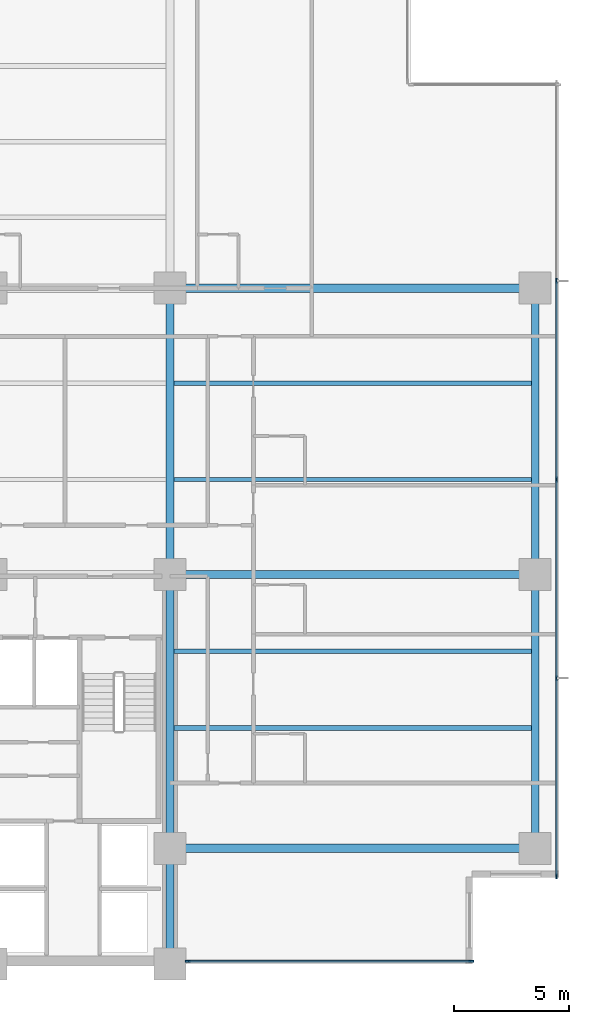
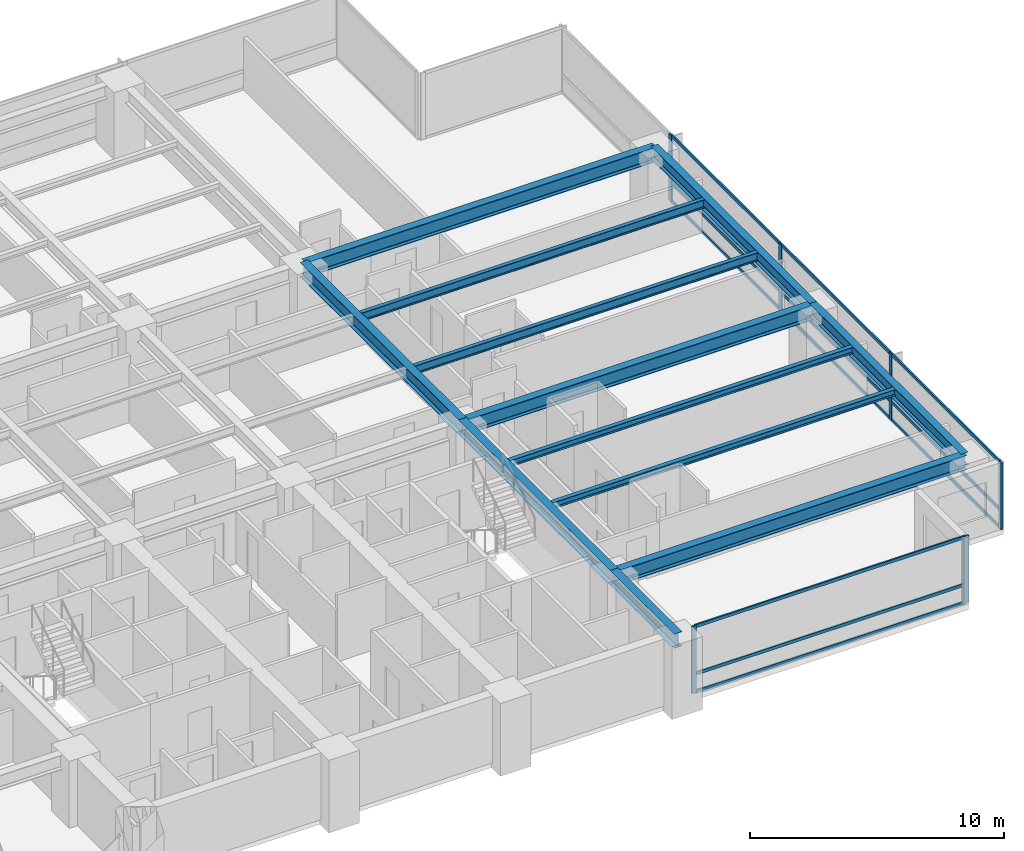
# One storey, part 3 of 16: 18 members, 12 beams, 2 elements without a shape of their own.
"""IFC4 building model written with IfcOpenShell, lengths in metres."""

import ifcopenshell
import ifcopenshell.guid

model = None  # the IFC model being written
_history = None  # IfcOwnerHistory: only IFC2X3 demands one
_inside = {}  # id of a spatial element -> (the spatial element, [elements in it])
_under = {}  # id of a project, library or spatial element -> (it, [spatial elements below it])
_declared = {}  # id of a project -> (the project, [libraries it declares])
_typed = {}  # id of a type object -> (the type object, [elements of that type])
_made_of = {}  # id of a material, layer set ... -> (it, [elements and type objects made of it])


def new_model(schema):
    """Start an empty IFC model of exactly this schema.

    Asked for "IFC4X3", IfcOpenShell would pick the latest addendum, in which some entities
    have other attributes; the version numbers below select the first issue.
    IFC2X3 requires an IfcOwnerHistory on every rooted entity: one is made here for all.
    """
    global model, _history
    if schema == "IFC4X3":
        model = ifcopenshell.file(schema_version=(4, 3, 0, 0))
    else:
        model = ifcopenshell.file(schema=schema)
    _inside.clear()
    _under.clear()
    _declared.clear()
    _typed.clear()
    _made_of.clear()
    _history = None
    if model.schema == "IFC2X3":
        org = make("IfcOrganization", Name="unknown")
        user = make(
            "IfcPersonAndOrganization",
            ThePerson=make("IfcPerson", FamilyName="unknown"),
            TheOrganization=org,
        )
        app = make(
            "IfcApplication",
            ApplicationDeveloper=org,
            Version="unknown",
            ApplicationFullName="unknown",
            ApplicationIdentifier="unknown",
        )
        _history = make(
            "IfcOwnerHistory",
            OwningUser=user,
            OwningApplication=app,
            ChangeAction="ADDED",
            CreationDate=0,
        )
    return model


def make(cls, **values):
    """One entity of the class cls with the attributes given. An attribute that is None is left unset."""
    return model.create_entity(
        cls, **{name: value for name, value in values.items() if value is not None}
    )


def rooted(cls, **values):
    """An entity with a GlobalId (a new one), such as an element, a storey or a relation."""
    return make(cls, GlobalId=ifcopenshell.guid.new(), OwnerHistory=_history, **values)


def si_unit(unit_type, name, prefix=None):
    """IfcSIUnit, for example si_unit("LENGTHUNIT", "METRE", prefix="MILLI")."""
    return make("IfcSIUnit", UnitType=unit_type, Prefix=prefix, Name=name)


def assignment(units):
    """IfcUnitAssignment: the units of a project."""
    return None if units is None else make("IfcUnitAssignment", Units=units)


def point(xyz):
    """IfcCartesianPoint."""
    return None if xyz is None else make("IfcCartesianPoint", Coordinates=xyz)


def direction(xyz):
    """IfcDirection."""
    return None if xyz is None else make("IfcDirection", DirectionRatios=xyz)


def frame(location, z_axis=None, x_axis=None):
    """IfcAxis2Placement3D, a coordinate frame: its origin and axes. An axis left out is left unset."""
    return make(
        "IfcAxis2Placement3D",
        Location=point(location),
        Axis=direction(z_axis),
        RefDirection=direction(x_axis),
    )


def frame_2d(location, x_axis=None):
    """IfcAxis2Placement2D, a coordinate frame in the plane: its origin and x axis."""
    return make(
        "IfcAxis2Placement2D", Location=point(location), RefDirection=direction(x_axis)
    )


def origin():
    """The frame at (0, 0, 0) with its axes left unset."""
    return frame((0.0, 0.0, 0.0))


def origin_2d():
    """The frame at (0, 0) in the plane with its x axis left unset."""
    return frame_2d((0.0, 0.0))


def place(relative_to, where):
    """IfcLocalPlacement: puts the frame where relative to a parent placement (None: the world)."""
    return make(
        "IfcLocalPlacement", PlacementRelTo=relative_to, RelativePlacement=where
    )


def context(
    kind, dimensions, precision=None, world=None, true_north=None, identifier=None
):
    """IfcGeometricRepresentationContext, for example the 3D "Model" context."""
    return make(
        "IfcGeometricRepresentationContext",
        ContextIdentifier=identifier,
        ContextType=kind,
        CoordinateSpaceDimension=dimensions,
        Precision=precision,
        WorldCoordinateSystem=world,
        TrueNorth=true_north,
    )


def subcontext(parent, identifier, kind, view, scale=None):
    """IfcGeometricRepresentationSubContext, for example "Body" below "Model"."""
    return make(
        "IfcGeometricRepresentationSubContext",
        ContextIdentifier=identifier,
        ContextType=kind,
        ParentContext=parent,
        TargetScale=scale,
        TargetView=view,
    )


def project(units=None, contexts=None):
    """IfcProject with its units and contexts."""
    return rooted(
        "IfcProject",
        Name="project",
        RepresentationContexts=contexts,
        UnitsInContext=assignment(units),
    )


def spatial(cls, under=None, at=None, **own):
    """A site, building, storey or space (cls), placed at a placement, below another one or the project."""
    s = rooted(cls, ObjectPlacement=at, **own)
    if under is not None:
        _under.setdefault(under.id(), (under, []))[1].append(s)
    return s


def profile(cls, at=None, kind="AREA", **sizes):
    """A parametric profile (cls). Its sizes go by their IFC names, for example OverallWidth=200.0."""
    return make(cls, ProfileType=kind, Position=at, **sizes)


def rectangle(**sizes):
    """IfcRectangleProfileDef."""
    return profile("IfcRectangleProfileDef", **sizes)


def i_section(**sizes):
    """IfcIShapeProfileDef."""
    return profile("IfcIShapeProfileDef", **sizes)


def extrude(swept, where, along, depth):
    """IfcExtrudedAreaSolid: the profile swept, set in the frame where, extruded along a direction by depth."""
    return make(
        "IfcExtrudedAreaSolid",
        SweptArea=swept,
        Position=where,
        ExtrudedDirection=direction(along),
        Depth=depth,
    )


def shape(context_of_items, identifier, shape_type, items):
    """IfcShapeRepresentation: the items that make up one representation, for example the "Body"."""
    return make(
        "IfcShapeRepresentation",
        ContextOfItems=context_of_items,
        RepresentationIdentifier=identifier,
        RepresentationType=shape_type,
        Items=items,
    )


def material(Name=None, Category=None):
    """IfcMaterial."""
    return make("IfcMaterial", Name=Name, Category=Category)


def layer(
    of_material, thickness, ventilated=None, Name=None, Category=None, Priority=None
):
    """IfcMaterialLayer: one layer of a wall or slab, of a material (None: an air gap)."""
    return make(
        "IfcMaterialLayer",
        Material=of_material,
        LayerThickness=thickness,
        IsVentilated=ventilated,
        Name=Name,
        Category=Category,
        Priority=Priority,
    )


def layer_set(layers, Name=None):
    """IfcMaterialLayerSet."""
    return make("IfcMaterialLayerSet", MaterialLayers=layers, LayerSetName=Name)


def material_profile(
    of_material, cross_section, Name=None, Category=None, Priority=None
):
    """IfcMaterialProfile: a cross section and its material."""
    return make(
        "IfcMaterialProfile",
        Name=Name,
        Material=of_material,
        Profile=cross_section,
        Priority=Priority,
        Category=Category,
    )


def profile_set(profiles, Name=None, composite=None):
    """IfcMaterialProfileSet."""
    return make(
        "IfcMaterialProfileSet",
        Name=Name,
        MaterialProfiles=profiles,
        CompositeProfile=composite,
    )


def made_of(thing, what):
    """Note that an element or type object is made of a material, layer set ...; save() writes the relation."""
    if what is not None:
        _made_of.setdefault(what.id(), (what, []))[1].append(thing)
    return thing


def type_object(cls, material=None, **own):
    """A type object (cls), such as IfcWallType, which elements share."""
    return made_of(rooted(cls, **own), material)


def element(
    cls,
    number,
    at=None,
    inside=None,
    cuts=None,
    type_object=None,
    material=None,
    context=None,
    identifier="Body",
    shape_type=None,
    held_by="IfcProductDefinitionShape",
    body=None,
    shapes=None,
    **own,
):
    """One element of the class cls, such as IfcWall. Its Tag is "e" and its number.

    at: its placement. inside: the storey or other place that contains it. cuts: it is an
    opening in that element (IfcRelVoidsElement). A single representation is given by context,
    identifier, shape_type and body (its items); several are given by shapes. held_by: the class
    of the entity that holds the representations. save() writes the other relations.
    """
    e = rooted(cls, Tag="e%d" % number, ObjectPlacement=at, **own)
    if body is not None:
        shapes = [shape(context, identifier, shape_type, body)]
    if shapes is not None:
        e.Representation = make(held_by, Representations=shapes)
    if inside is not None:
        _inside.setdefault(inside.id(), (inside, []))[1].append(e)
    if cuts is not None:
        rooted(
            "IfcRelVoidsElement", RelatingBuildingElement=cuts, RelatedOpeningElement=e
        )
    if type_object is not None:
        _typed.setdefault(type_object.id(), (type_object, []))[1].append(e)
    return made_of(e, material)


def aggregate(whole, parts):
    """IfcRelAggregates: a whole, such as a stair, and the parts it consists of."""
    return rooted("IfcRelAggregates", RelatingObject=whole, RelatedObjects=parts)


def save(model, path):
    """Write the relations noted so far, then the file.

    IfcRelAggregates (storeys below a building ...), IfcRelContainedInSpatialStructure (elements
    in a storey), IfcRelDefinesByType, IfcRelAssociatesMaterial and IfcRelDeclares: one each for
    every whole, place, type object, material and project.
    """
    for whole, parts in _under.values():
        aggregate(whole, parts)
    for where, things in _inside.values():
        rooted(
            "IfcRelContainedInSpatialStructure",
            RelatedElements=things,
            RelatingStructure=where,
        )
    for kind, things in _typed.values():
        rooted("IfcRelDefinesByType", RelatedObjects=things, RelatingType=kind)
    for what, things in _made_of.values():
        rooted("IfcRelAssociatesMaterial", RelatedObjects=things, RelatingMaterial=what)
    for by, libraries in _declared.values():
        rooted("IfcRelDeclares", RelatingContext=by, RelatedDefinitions=libraries)
    model.write(path)


model = new_model("IFC4")

# Units and contexts
model_context = context("Model", 3, precision=1e-05, world=origin(), true_north=direction((0.0, 1.0)))
body_context = subcontext(model_context, "Body", "Model", "MODEL_VIEW")
ifc_project = project(units=[si_unit("LENGTHUNIT", "METRE"), si_unit("AREAUNIT", "SQUARE_METRE"), si_unit("VOLUMEUNIT", "CUBIC_METRE"), si_unit("PLANEANGLEUNIT", "RADIAN"), si_unit("MASSUNIT", "GRAM", prefix="KILO")], contexts=[model_context])

# Site, building, storey
site_placement = place(None, origin())
site = spatial("IfcSite", under=ifc_project, at=site_placement, CompositionType="ELEMENT")
building_placement = place(site_placement, origin())
building = spatial("IfcBuilding", under=site, at=building_placement, Name="Qalmaran Belvedere Hotel", CompositionType="ELEMENT")
storey_placement = place(building_placement, frame((0.0, 0.0, 43.89990234375)))
storey = spatial("IfcBuildingStorey", under=building, at=storey_placement, Name="L10", CompositionType="ELEMENT", Elevation=43.89990234375)

# Beams
ifc_material_1 = material(Name="Steel S355JR", Category="steel")
ifc_material_profile_1 = material_profile(ifc_material_1, i_section(OverallWidth=0.202880859375, OverallDepth=0.302978515625, WebThickness=0.007568359375, FlangeThickness=0.01318359375, FilletRadius=0.012939453125, at=origin_2d()), Name="W310X60")
ifc_profile_set_1 = profile_set([ifc_material_profile_1], Name="Steel S355JR")
beam_type_1 = type_object("IfcBeamType", Name="BM-JST-W310X60", PredefinedType="JOIST", material=ifc_profile_set_1)
for number, where, z_axis, x_axis, name in (
    (1, (44.9755859375, 13.800048828125, 3.068603515625), (1.0, 0.0, 0.0), (0.0, 1.0, 0.0), "L10 East Wing Joist 039"),
    (2, (44.9755859375, 17.14990234375, 3.068603515625), (1.0, 0.0, 0.0), (0.0, 1.0, 0.0), "L10 East Wing Joist 041"),
):
    element("IfcBeam", number, at=place(storey_placement, frame(where, z_axis=z_axis, x_axis=x_axis)), inside=storey, type_object=beam_type_1, Name=name, PredefinedType="JOIST", context=body_context, shape_type="SweptSolid", body=[
        extrude(i_section(OverallWidth=0.202880859375, OverallDepth=0.302978515625, WebThickness=0.007568359375, FlangeThickness=0.01318359375, FilletRadius=0.012939453125, at=origin_2d()), origin(), (0.0, 0.0, 1.0), 15.61279296875),
    ])
ifc_material_profile_2 = material_profile(ifc_material_1, i_section(OverallWidth=0.180908203125, OverallDepth=0.4169921875, WebThickness=0.010986328125, FlangeThickness=0.018310546875, FilletRadius=0.014892578125, at=origin_2d()), Name="W410X85")
ifc_profile_set_2 = profile_set([ifc_material_profile_2], Name="Steel S355JR")
beam_type_2 = type_object("IfcBeamType", Name="BM-SB1-W410X85", PredefinedType="BEAM", material=ifc_profile_set_2)
for number, where, z_axis, x_axis, name in (
    (3, (44.9755859375, 24.64990234375, 3.01171875), (1.0, 0.0, 0.0), (0.0, 1.0, 0.0), "L10 East Secondary Beam 032"),
    (4, (44.9755859375, 28.85009765625, 3.01171875), (1.0, 0.0, 0.0), (0.0, 1.0, 0.0), "L10 East Secondary Beam 037"),
):
    element("IfcBeam", number, at=place(storey_placement, frame(where, z_axis=z_axis, x_axis=x_axis)), inside=storey, type_object=beam_type_2, Name=name, PredefinedType="BEAM", context=body_context, shape_type="SweptSolid", body=[
        extrude(i_section(OverallWidth=0.180908203125, OverallDepth=0.4169921875, WebThickness=0.010986328125, FlangeThickness=0.018310546875, FilletRadius=0.014892578125, at=origin_2d()), origin(), (0.0, 0.0, 1.0), 15.61279296875),
    ])
ifc_material_profile_3 = material_profile(ifc_material_1, i_section(OverallWidth=0.326904296875, OverallDepth=0.6220703125, WebThickness=0.015380859375, FlangeThickness=0.0244140625, FilletRadius=0.02001953125, at=origin_2d()), Name="W610X195")
ifc_profile_set_3 = profile_set([ifc_material_profile_3], Name="Steel S355JR")
beam_type_3 = type_object("IfcBeamType", Name="BM-SP1-W610X195", PredefinedType="SPANDREL", material=ifc_profile_set_3)
beam_1_placement = place(storey_placement, frame((60.75, 8.550048828125, 2.9091796875), z_axis=(0.0, 1.0, 0.0), x_axis=(-1.0, 0.0, 0.0)))
element("IfcBeam", 5, at=beam_1_placement, inside=storey, type_object=beam_type_3, Name="L10 Perimeter Spandrel 03", PredefinedType="SPANDREL", context=body_context, shape_type="SweptSolid", body=[
    extrude(i_section(OverallWidth=0.326904296875, OverallDepth=0.6220703125, WebThickness=0.015380859375, FlangeThickness=0.0244140625, FilletRadius=0.02001953125, at=origin_2d()), origin(), (0.0, 0.0, 1.0), 11.949951171875),
])
beam_2_placement = place(storey_placement, frame((60.75, 20.5, 2.9091796875), z_axis=(0.0, 1.0, 0.0), x_axis=(-1.0, 0.0, 0.0)))
element("IfcBeam", 6, at=beam_2_placement, inside=storey, type_object=beam_type_3, Name="L10 Perimeter Spandrel 04", PredefinedType="SPANDREL", context=body_context, shape_type="SweptSolid", body=[
    extrude(i_section(OverallWidth=0.326904296875, OverallDepth=0.6220703125, WebThickness=0.015380859375, FlangeThickness=0.0244140625, FilletRadius=0.02001953125, at=origin_2d()), origin(), (0.0, 0.0, 1.0), 12.5),
])
ifc_material_profile_4 = material_profile(ifc_material_1, i_section(OverallWidth=0.35498046875, OverallDepth=0.695068359375, WebThickness=0.015380859375, FlangeThickness=0.02490234375, FilletRadius=0.02197265625, at=origin_2d()), Name="W690X217")
ifc_profile_set_4 = profile_set([ifc_material_profile_4], Name="Steel S355JR")
beam_type_4 = type_object("IfcBeamType", Name="BM-Z1-W690X217", PredefinedType="USERDEFINED", material=ifc_profile_set_4)
beam_3_placement = place(storey_placement, frame((44.800048828125, 20.5, 2.87255859375), z_axis=(0.0, 1.0, 0.0), x_axis=(-1.0, 0.0, 0.0)))
element("IfcBeam", 7, at=beam_3_placement, inside=storey, type_object=beam_type_4, Name="L10 Mid-Plate N-S Girder 20", ObjectType="GIRDER", PredefinedType="USERDEFINED", context=body_context, shape_type="SweptSolid", body=[
    extrude(i_section(OverallWidth=0.35498046875, OverallDepth=0.695068359375, WebThickness=0.015380859375, FlangeThickness=0.02490234375, FilletRadius=0.02197265625, at=origin_2d()), origin(), (0.0, 0.0, 1.0), 12.5),
])
beam_4_placement = place(storey_placement, frame((44.800048828125, 3.5, 2.87255859375), z_axis=(0.0, 1.0, 0.0), x_axis=(-1.0, 0.0, 0.0)))
element("IfcBeam", 8, at=beam_4_placement, inside=storey, type_object=beam_type_4, Name="L10 East Core Edge Girder A", ObjectType="GIRDER", PredefinedType="USERDEFINED", context=body_context, shape_type="SweptSolid", body=[
    extrude(i_section(OverallWidth=0.35498046875, OverallDepth=0.695068359375, WebThickness=0.015380859375, FlangeThickness=0.02490234375, FilletRadius=0.02197265625, at=origin_2d()), origin(), (0.0, 0.0, 1.0), 5.050048828125),
])
beam_5_placement = place(storey_placement, frame((44.800048828125, 8.550048828125, 2.87255859375), z_axis=(0.0, 1.0, 0.0), x_axis=(-1.0, 0.0, 0.0)))
element("IfcBeam", 9, at=beam_5_placement, inside=storey, type_object=beam_type_4, Name="L10 East Core Edge Girder B", ObjectType="GIRDER", PredefinedType="USERDEFINED", context=body_context, shape_type="SweptSolid", body=[
    extrude(i_section(OverallWidth=0.35498046875, OverallDepth=0.695068359375, WebThickness=0.015380859375, FlangeThickness=0.02490234375, FilletRadius=0.02197265625, at=origin_2d()), origin(), (0.0, 0.0, 1.0), 11.949951171875),
])
for number, where, z_axis, x_axis, name in (
    (10, (44.800048828125, 8.550048828125, 2.87255859375), (1.0, 0.0, 0.0), (0.0, 1.0, 0.0), "L10 East Wing Girder 25"),
    (11, (44.800048828125, 20.5, 2.87255859375), (1.0, 0.0, 0.0), (0.0, 1.0, 0.0), "L10 East Wing Girder 26"),
    (12, (44.800048828125, 33.0, 2.87255859375), (1.0, 0.0, 0.0), (0.0, 1.0, 0.0), "L10 East Wing Girder 27"),
):
    element("IfcBeam", number, at=place(storey_placement, frame(where, z_axis=z_axis, x_axis=x_axis)), inside=storey, type_object=beam_type_4, Name=name, ObjectType="GIRDER", PredefinedType="USERDEFINED", context=body_context, shape_type="SweptSolid", body=[
        extrude(i_section(OverallWidth=0.35498046875, OverallDepth=0.695068359375, WebThickness=0.015380859375, FlangeThickness=0.02490234375, FilletRadius=0.02197265625, at=origin_2d()), origin(), (0.0, 0.0, 1.0), 15.949951171875),
    ])

# Curtain wall, members
ifc_material_2 = material(Name="Anodised Bronze Aluminium", Category="aluminium")
ifc_layer = layer(ifc_material_2, 0.2099609375, Name="Anodised Bronze Aluminium")
ifc_layer_set = layer_set([ifc_layer], Name="Anodised Bronze Aluminium")
curtain_wall_type = type_object("IfcCurtainWallType", Name="CW2-TOWER-LOWER", PredefinedType="NOTDEFINED", material=ifc_layer_set)
curtain_wall_1_placement = place(storey_placement, origin())
curtain_wall_1 = element("IfcCurtainWall", 13, at=curtain_wall_1_placement, inside=storey, type_object=curtain_wall_type, Name="L10 Curtain Wall CW2", PredefinedType="NOTDEFINED")
ifc_material_profile_5 = material_profile(ifc_material_2, rectangle(XDim=0.074951171875, YDim=0.219970703125, at=origin_2d()), Name="CWM75X220")
ifc_profile_set_5 = profile_set([ifc_material_profile_5], Name="Anodised Bronze Aluminium")
member_type_1 = type_object("IfcMemberType", Name="CWM-75X220", PredefinedType="MULLION", material=ifc_profile_set_5)
member_1_placement = place(storey_placement, frame((45.577392578125, 3.6201171875, 0.0), z_axis=(0.0, 0.0, 1.0), x_axis=(0.0, 1.0, 0.0)))
member_1 = element("IfcMember", 14, at=member_1_placement, type_object=member_type_1, Name="CW2 mullion 1", PredefinedType="MULLION", context=body_context, shape_type="SweptSolid", body=[
    extrude(rectangle(XDim=0.074951171875, YDim=0.219970703125, at=origin_2d()), origin(), (0.0, 0.0, 1.0), 3.22021484375),
])
member_2_placement = place(storey_placement, frame((57.96240234375, 3.6201171875, 0.0), z_axis=(0.0, 0.0, 1.0), x_axis=(0.0, 1.0, 0.0)))
member_2 = element("IfcMember", 15, at=member_2_placement, type_object=member_type_1, Name="CW2 mullion 2", PredefinedType="MULLION", context=body_context, shape_type="SweptSolid", body=[
    extrude(rectangle(XDim=0.074951171875, YDim=0.219970703125, at=origin_2d()), origin(), (0.0, 0.0, 1.0), 3.22021484375),
])

curtain_wall_2_placement = place(storey_placement, origin())
curtain_wall_2 = element("IfcCurtainWall", 16, at=curtain_wall_2_placement, inside=storey, type_object=curtain_wall_type, Name="L10 Curtain Wall CW2", PredefinedType="NOTDEFINED")
member_3_placement = place(storey_placement, frame((61.679931640625, 7.33740234375, 0.0), z_axis=(0.0, 0.0, 1.0), x_axis=(-1.0, 0.0, 0.0)))
member_3 = element("IfcMember", 17, at=member_3_placement, type_object=member_type_1, Name="CW2 mullion 1", PredefinedType="MULLION", context=body_context, shape_type="SweptSolid", body=[
    extrude(rectangle(XDim=0.074951171875, YDim=0.219970703125, at=origin_2d()), origin(), (0.0, 0.0, 1.0), 3.22021484375),
])
member_4_placement = place(storey_placement, frame((61.679931640625, 15.97509765625, 0.0), z_axis=(0.0, 0.0, 1.0), x_axis=(-1.0, 0.0, 0.0)))
member_4 = element("IfcMember", 18, at=member_4_placement, type_object=member_type_1, Name="CW2 mullion 2", PredefinedType="MULLION", context=body_context, shape_type="SweptSolid", body=[
    extrude(rectangle(XDim=0.074951171875, YDim=0.219970703125, at=origin_2d()), origin(), (0.0, 0.0, 1.0), 3.22021484375),
])
member_5_placement = place(storey_placement, frame((61.679931640625, 24.64990234375, 0.0), z_axis=(0.0, 0.0, 1.0), x_axis=(-1.0, 0.0, 0.0)))
member_5 = element("IfcMember", 19, at=member_5_placement, type_object=member_type_1, Name="CW2 mullion 3", PredefinedType="MULLION", context=body_context, shape_type="SweptSolid", body=[
    extrude(rectangle(XDim=0.074951171875, YDim=0.219970703125, at=origin_2d()), origin(), (0.0, 0.0, 1.0), 3.22021484375),
])
member_6_placement = place(storey_placement, frame((61.679931640625, 33.324951171875, 0.0), z_axis=(0.0, 0.0, 1.0), x_axis=(-1.0, 0.0, 0.0)))
member_6 = element("IfcMember", 20, at=member_6_placement, type_object=member_type_1, Name="CW2 mullion 4", PredefinedType="MULLION", context=body_context, shape_type="SweptSolid", body=[
    extrude(rectangle(XDim=0.074951171875, YDim=0.219970703125, at=origin_2d()), origin(), (0.0, 0.0, 1.0), 3.22021484375),
])

# Member
ifc_material_profile_6 = material_profile(ifc_material_2, rectangle(XDim=0.070068359375, YDim=0.14990234375, at=origin_2d()), Name="CWT70X150")
ifc_profile_set_6 = profile_set([ifc_material_profile_6], Name="Anodised Bronze Aluminium")
member_type_2 = type_object("IfcMemberType", Name="CWT-70X150", PredefinedType="USERDEFINED", material=ifc_profile_set_6)
member_7_placement = place(storey_placement, frame((45.614990234375, 3.6201171875, 0.03515625), z_axis=(1.0, 0.0, 0.0), x_axis=(0.0, 1.0, 0.0)))
member_7 = element("IfcMember", 21, at=member_7_placement, type_object=member_type_2, Name="CW2 transom 1.1", ObjectType="TRANSOM", PredefinedType="USERDEFINED", context=body_context, shape_type="SweptSolid", body=[
    extrude(rectangle(XDim=0.070068359375, YDim=0.14990234375, at=origin_2d()), origin(), (0.0, 0.0, 1.0), 12.31005859375),
])

member_8_placement = place(storey_placement, frame((45.614990234375, 3.6201171875, 0.901611328125), z_axis=(1.0, 0.0, 0.0), x_axis=(0.0, 1.0, 0.0)))
member_8 = element("IfcMember", 22, at=member_8_placement, type_object=member_type_2, Name="CW2 transom 1.2", ObjectType="TRANSOM", PredefinedType="USERDEFINED", context=body_context, shape_type="SweptSolid", body=[
    extrude(rectangle(XDim=0.070068359375, YDim=0.14990234375, at=origin_2d()), origin(), (0.0, 0.0, 1.0), 12.31005859375),
])

member_9_placement = place(storey_placement, frame((45.614990234375, 3.6201171875, 3.18505859375), z_axis=(1.0, 0.0, 0.0), x_axis=(0.0, 1.0, 0.0)))
member_9 = element("IfcMember", 23, at=member_9_placement, type_object=member_type_2, Name="CW2 transom 1.3", ObjectType="TRANSOM", PredefinedType="USERDEFINED", context=body_context, shape_type="SweptSolid", body=[
    extrude(rectangle(XDim=0.070068359375, YDim=0.14990234375, at=origin_2d()), origin(), (0.0, 0.0, 1.0), 12.31005859375),
])

aggregate(curtain_wall_1, [member_1, member_2, member_7, member_8, member_9])

member_10_placement = place(storey_placement, frame((61.679931640625, 7.375, 0.03515625), z_axis=(0.0, 1.0, 0.0), x_axis=(-1.0, 0.0, 0.0)))
member_10 = element("IfcMember", 24, at=member_10_placement, type_object=member_type_2, Name="CW2 transom 1.1", ObjectType="TRANSOM", PredefinedType="USERDEFINED", context=body_context, shape_type="SweptSolid", body=[
    extrude(rectangle(XDim=0.070068359375, YDim=0.14990234375, at=origin_2d()), origin(), (0.0, 0.0, 1.0), 8.5625),
])

member_11_placement = place(storey_placement, frame((61.679931640625, 7.375, 0.901611328125), z_axis=(0.0, 1.0, 0.0), x_axis=(-1.0, 0.0, 0.0)))
member_11 = element("IfcMember", 25, at=member_11_placement, type_object=member_type_2, Name="CW2 transom 1.2", ObjectType="TRANSOM", PredefinedType="USERDEFINED", context=body_context, shape_type="SweptSolid", body=[
    extrude(rectangle(XDim=0.070068359375, YDim=0.14990234375, at=origin_2d()), origin(), (0.0, 0.0, 1.0), 8.5625),
])

member_12_placement = place(storey_placement, frame((61.679931640625, 7.375, 3.18505859375), z_axis=(0.0, 1.0, 0.0), x_axis=(-1.0, 0.0, 0.0)))
member_12 = element("IfcMember", 26, at=member_12_placement, type_object=member_type_2, Name="CW2 transom 1.3", ObjectType="TRANSOM", PredefinedType="USERDEFINED", context=body_context, shape_type="SweptSolid", body=[
    extrude(rectangle(XDim=0.070068359375, YDim=0.14990234375, at=origin_2d()), origin(), (0.0, 0.0, 1.0), 8.5625),
])

member_13_placement = place(storey_placement, frame((61.679931640625, 16.012451171875, 0.03515625), z_axis=(0.0, 1.0, 0.0), x_axis=(-1.0, 0.0, 0.0)))
member_13 = element("IfcMember", 27, at=member_13_placement, type_object=member_type_2, Name="CW2 transom 2.1", ObjectType="TRANSOM", PredefinedType="USERDEFINED", context=body_context, shape_type="SweptSolid", body=[
    extrude(rectangle(XDim=0.070068359375, YDim=0.14990234375, at=origin_2d()), origin(), (0.0, 0.0, 1.0), 8.60009765625),
])

member_14_placement = place(storey_placement, frame((61.679931640625, 16.012451171875, 0.901611328125), z_axis=(0.0, 1.0, 0.0), x_axis=(-1.0, 0.0, 0.0)))
member_14 = element("IfcMember", 28, at=member_14_placement, type_object=member_type_2, Name="CW2 transom 2.2", ObjectType="TRANSOM", PredefinedType="USERDEFINED", context=body_context, shape_type="SweptSolid", body=[
    extrude(rectangle(XDim=0.070068359375, YDim=0.14990234375, at=origin_2d()), origin(), (0.0, 0.0, 1.0), 8.60009765625),
])

member_15_placement = place(storey_placement, frame((61.679931640625, 16.012451171875, 3.18505859375), z_axis=(0.0, 1.0, 0.0), x_axis=(-1.0, 0.0, 0.0)))
member_15 = element("IfcMember", 29, at=member_15_placement, type_object=member_type_2, Name="CW2 transom 2.3", ObjectType="TRANSOM", PredefinedType="USERDEFINED", context=body_context, shape_type="SweptSolid", body=[
    extrude(rectangle(XDim=0.070068359375, YDim=0.14990234375, at=origin_2d()), origin(), (0.0, 0.0, 1.0), 8.60009765625),
])

member_16_placement = place(storey_placement, frame((61.679931640625, 24.6875, 0.03515625), z_axis=(0.0, 1.0, 0.0), x_axis=(-1.0, 0.0, 0.0)))
member_16 = element("IfcMember", 30, at=member_16_placement, type_object=member_type_2, Name="CW2 transom 3.1", ObjectType="TRANSOM", PredefinedType="USERDEFINED", context=body_context, shape_type="SweptSolid", body=[
    extrude(rectangle(XDim=0.070068359375, YDim=0.14990234375, at=origin_2d()), origin(), (0.0, 0.0, 1.0), 8.60009765625),
])

member_17_placement = place(storey_placement, frame((61.679931640625, 24.6875, 0.901611328125), z_axis=(0.0, 1.0, 0.0), x_axis=(-1.0, 0.0, 0.0)))
member_17 = element("IfcMember", 31, at=member_17_placement, type_object=member_type_2, Name="CW2 transom 3.2", ObjectType="TRANSOM", PredefinedType="USERDEFINED", context=body_context, shape_type="SweptSolid", body=[
    extrude(rectangle(XDim=0.070068359375, YDim=0.14990234375, at=origin_2d()), origin(), (0.0, 0.0, 1.0), 8.60009765625),
])

member_18_placement = place(storey_placement, frame((61.679931640625, 24.6875, 3.18505859375), z_axis=(0.0, 1.0, 0.0), x_axis=(-1.0, 0.0, 0.0)))
member_18 = element("IfcMember", 32, at=member_18_placement, type_object=member_type_2, Name="CW2 transom 3.3", ObjectType="TRANSOM", PredefinedType="USERDEFINED", context=body_context, shape_type="SweptSolid", body=[
    extrude(rectangle(XDim=0.070068359375, YDim=0.14990234375, at=origin_2d()), origin(), (0.0, 0.0, 1.0), 8.60009765625),
])

aggregate(curtain_wall_2, [member_3, member_4, member_5, member_6, member_10, member_11, member_12, member_13, member_14, member_15, member_16, member_17, member_18])

save(model, "model.ifc")
